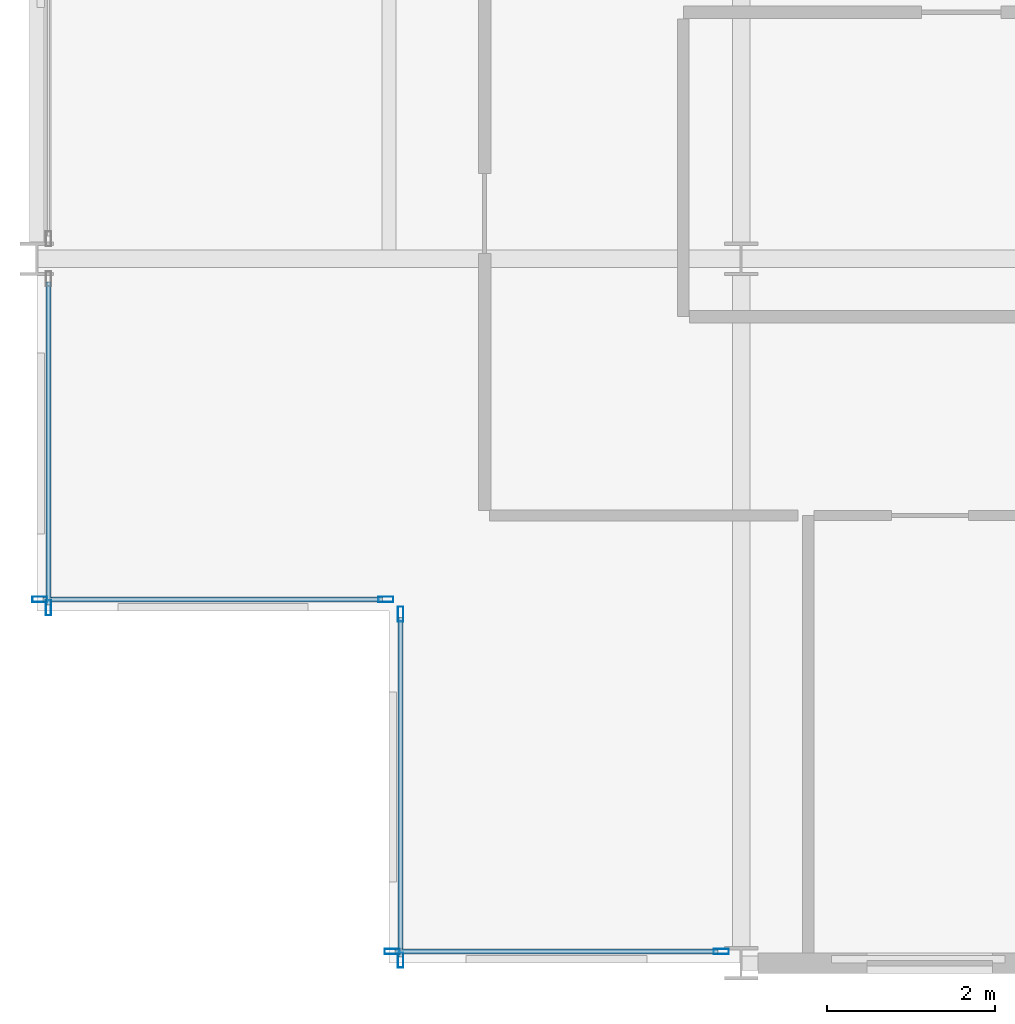
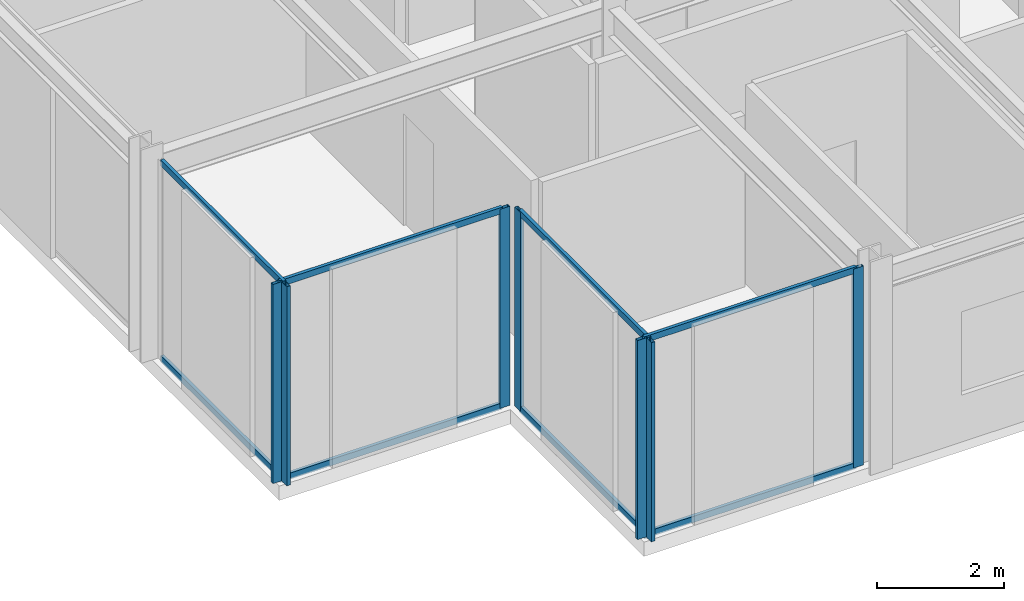
# One storey, part 4 of 38: 15 members, 4 elements without a shape of their own.
"""IFC4 building model written with IfcOpenShell, lengths in metres."""

from ifc_helpers import new_model, si_unit, direction, frame, origin, origin_2d, place, context, subcontext, project, spatial, hollow_rectangle, extrude, material, layer, layer_set, material_profile, profile_set, type_object, element, aggregate, save


model = new_model("IFC4")

# Units and contexts
model_context = context("Model", 3, precision=1e-05, world=origin(), true_north=direction((0.0, 1.0)))
body_context = subcontext(model_context, "Body", "Model", "MODEL_VIEW")
ifc_project = project(units=[si_unit("LENGTHUNIT", "METRE"), si_unit("AREAUNIT", "SQUARE_METRE"), si_unit("VOLUMEUNIT", "CUBIC_METRE"), si_unit("PLANEANGLEUNIT", "RADIAN"), si_unit("MASSUNIT", "GRAM", prefix="KILO")], contexts=[model_context])

# Site, building, storey
site_placement = place(None, origin())
site = spatial("IfcSite", under=ifc_project, at=site_placement, CompositionType="ELEMENT")
building_placement = place(site_placement, origin())
building = spatial("IfcBuilding", under=site, at=building_placement, Name="Nerrivon Quay Data Exchange", CompositionType="ELEMENT")
storey_placement = place(building_placement, frame((0.0, 0.0, 96.699951171875)))
storey = spatial("IfcBuildingStorey", under=building, at=storey_placement, Name="L22", CompositionType="ELEMENT", Elevation=96.699951171875)

# Curtain wall, members
ifc_material = material(Name="Anodised aluminium 6063-T6", Category="aluminium")
ifc_layer = layer(ifc_material, 0.2099609375)
ifc_layer_set = layer_set([ifc_layer], Name="Anodised aluminium 6063-T6")
curtain_wall_type = type_object("IfcCurtainWallType", Name="CW-SYS-02", PredefinedType="NOTDEFINED", material=ifc_layer_set)
curtain_wall_1_placement = place(storey_placement, origin())
curtain_wall_1 = element("IfcCurtainWall", 1, at=curtain_wall_1_placement, inside=storey, type_object=curtain_wall_type, Name="L22 Unitised Curtain Wall 14", PredefinedType="NOTDEFINED")
ifc_material_profile_1 = material_profile(ifc_material, hollow_rectangle(XDim=0.06494140625, YDim=0.179931640625, WallThickness=0.00341796875, at=origin_2d()), Name="ALU-MULL-180x65")
ifc_profile_set_1 = profile_set([ifc_material_profile_1], Name="Anodised aluminium 6063-T6")
member_type_1 = type_object("IfcMemberType", Name="CWM-180x65", PredefinedType="MULLION", material=ifc_profile_set_1)
member_1_placement = place(storey_placement, frame((8.16259765625, 0.139892578125, 0.0), z_axis=(0.0, 0.0, 1.0), x_axis=(0.0, -1.0, 0.0)))
member_1 = element("IfcMember", 2, at=member_1_placement, type_object=member_type_1, Name="CW02 mullion 1", PredefinedType="MULLION", context=body_context, shape_type="SweptSolid", body=[
    extrude(hollow_rectangle(XDim=0.06494140625, YDim=0.179931640625, WallThickness=0.00341796875, at=origin_2d()), origin(), (0.0, 0.0, 1.0), 3.824951171875),
])
member_2_placement = place(storey_placement, frame((4.237548828125, 0.139892578125, 0.0), z_axis=(0.0, 0.0, 1.0), x_axis=(0.0, -1.0, 0.0)))
member_2 = element("IfcMember", 3, at=member_2_placement, type_object=member_type_1, Name="CW02 mullion 2", PredefinedType="MULLION", context=body_context, shape_type="SweptSolid", body=[
    extrude(hollow_rectangle(XDim=0.06494140625, YDim=0.179931640625, WallThickness=0.00341796875, at=origin_2d()), origin(), (0.0, 0.0, 1.0), 3.824951171875),
])

curtain_wall_2_placement = place(storey_placement, origin())
curtain_wall_2 = element("IfcCurtainWall", 4, at=curtain_wall_2_placement, inside=storey, type_object=curtain_wall_type, Name="L22 Unitised Curtain Wall 15", PredefinedType="NOTDEFINED")
member_3_placement = place(storey_placement, frame((4.340087890625, 0.03759765625, 0.0), z_axis=(0.0, 0.0, 1.0), x_axis=(-1.0, 0.0, 0.0)))
member_3 = element("IfcMember", 5, at=member_3_placement, type_object=member_type_1, Name="CW02 mullion 1", PredefinedType="MULLION", context=body_context, shape_type="SweptSolid", body=[
    extrude(hollow_rectangle(XDim=0.06494140625, YDim=0.179931640625, WallThickness=0.00341796875, at=origin_2d()), origin(), (0.0, 0.0, 1.0), 3.824951171875),
])
member_4_placement = place(storey_placement, frame((4.340087890625, 4.16259765625, 0.0), z_axis=(0.0, 0.0, 1.0), x_axis=(-1.0, 0.0, 0.0)))
member_4 = element("IfcMember", 6, at=member_4_placement, type_object=member_type_1, Name="CW02 mullion 2", PredefinedType="MULLION", context=body_context, shape_type="SweptSolid", body=[
    extrude(hollow_rectangle(XDim=0.06494140625, YDim=0.179931640625, WallThickness=0.00341796875, at=origin_2d()), origin(), (0.0, 0.0, 1.0), 3.824951171875),
])

curtain_wall_3_placement = place(storey_placement, origin())
curtain_wall_3 = element("IfcCurtainWall", 7, at=curtain_wall_3_placement, inside=storey, type_object=curtain_wall_type, Name="L22 Unitised Curtain Wall 16", PredefinedType="NOTDEFINED")
member_5_placement = place(storey_placement, frame((4.16259765625, 4.340087890625, 0.0), z_axis=(0.0, 0.0, 1.0), x_axis=(0.0, -1.0, 0.0)))
member_5 = element("IfcMember", 8, at=member_5_placement, type_object=member_type_1, Name="CW02 mullion 1", PredefinedType="MULLION", context=body_context, shape_type="SweptSolid", body=[
    extrude(hollow_rectangle(XDim=0.06494140625, YDim=0.179931640625, WallThickness=0.00341796875, at=origin_2d()), origin(), (0.0, 0.0, 1.0), 3.824951171875),
])
member_6_placement = place(storey_placement, frame((0.03759765625, 4.340087890625, 0.0), z_axis=(0.0, 0.0, 1.0), x_axis=(0.0, -1.0, 0.0)))
member_6 = element("IfcMember", 9, at=member_6_placement, type_object=member_type_1, Name="CW02 mullion 2", PredefinedType="MULLION", context=body_context, shape_type="SweptSolid", body=[
    extrude(hollow_rectangle(XDim=0.06494140625, YDim=0.179931640625, WallThickness=0.00341796875, at=origin_2d()), origin(), (0.0, 0.0, 1.0), 3.824951171875),
])

# Curtain wall, member
curtain_wall_4_placement = place(storey_placement, origin())
curtain_wall_4 = element("IfcCurtainWall", 10, at=curtain_wall_4_placement, inside=storey, type_object=curtain_wall_type, Name="L22 Unitised Curtain Wall 17", PredefinedType="NOTDEFINED")
member_7_placement = place(storey_placement, frame((0.139892578125, 4.237548828125, 0.0), z_axis=(0.0, 0.0, 1.0), x_axis=(-1.0, 0.0, 0.0)))
member_7 = element("IfcMember", 11, at=member_7_placement, type_object=member_type_1, Name="CW02 mullion 1", PredefinedType="MULLION", context=body_context, shape_type="SweptSolid", body=[
    extrude(hollow_rectangle(XDim=0.06494140625, YDim=0.179931640625, WallThickness=0.00341796875, at=origin_2d()), origin(), (0.0, 0.0, 1.0), 3.824951171875),
])

# Member
ifc_material_profile_2 = material_profile(ifc_material, hollow_rectangle(XDim=0.06005859375, YDim=0.1201171875, WallThickness=0.003173828125, at=origin_2d()), Name="ALU-TRAN-120x60")
ifc_profile_set_2 = profile_set([ifc_material_profile_2], Name="Anodised aluminium 6063-T6")
member_type_2 = type_object("IfcMemberType", Name="CWT-120x60", PredefinedType="USERDEFINED", material=ifc_profile_set_2)
member_8_placement = place(storey_placement, frame((8.125, 0.139892578125, 0.032470703125), z_axis=(-1.0, 0.0, 0.0), x_axis=(0.0, -1.0, 0.0)))
member_8 = element("IfcMember", 12, at=member_8_placement, type_object=member_type_2, Name="CW02 transom 1.1", ObjectType="TRANSOM", PredefinedType="USERDEFINED", context=body_context, shape_type="SweptSolid", body=[
    extrude(hollow_rectangle(XDim=0.06005859375, YDim=0.1201171875, WallThickness=0.003173828125, at=origin_2d()), origin(), (0.0, 0.0, 1.0), 3.85009765625),
])

member_9_placement = place(storey_placement, frame((8.125, 0.139892578125, 3.79248046875), z_axis=(-1.0, 0.0, 0.0), x_axis=(0.0, -1.0, 0.0)))
member_9 = element("IfcMember", 13, at=member_9_placement, type_object=member_type_2, Name="CW02 transom 1.2", ObjectType="TRANSOM", PredefinedType="USERDEFINED", context=body_context, shape_type="SweptSolid", body=[
    extrude(hollow_rectangle(XDim=0.06005859375, YDim=0.1201171875, WallThickness=0.003173828125, at=origin_2d()), origin(), (0.0, 0.0, 1.0), 3.85009765625),
])

aggregate(curtain_wall_1, [member_1, member_2, member_8, member_9])

member_10_placement = place(storey_placement, frame((4.340087890625, 0.074951171875, 0.032470703125), z_axis=(0.0, 1.0, 0.0), x_axis=(-1.0, 0.0, 0.0)))
member_10 = element("IfcMember", 14, at=member_10_placement, type_object=member_type_2, Name="CW02 transom 1.1", ObjectType="TRANSOM", PredefinedType="USERDEFINED", context=body_context, shape_type="SweptSolid", body=[
    extrude(hollow_rectangle(XDim=0.06005859375, YDim=0.1201171875, WallThickness=0.003173828125, at=origin_2d()), origin(), (0.0, 0.0, 1.0), 4.050048828125),
])

member_11_placement = place(storey_placement, frame((4.340087890625, 0.074951171875, 3.79248046875), z_axis=(0.0, 1.0, 0.0), x_axis=(-1.0, 0.0, 0.0)))
member_11 = element("IfcMember", 15, at=member_11_placement, type_object=member_type_2, Name="CW02 transom 1.2", ObjectType="TRANSOM", PredefinedType="USERDEFINED", context=body_context, shape_type="SweptSolid", body=[
    extrude(hollow_rectangle(XDim=0.06005859375, YDim=0.1201171875, WallThickness=0.003173828125, at=origin_2d()), origin(), (0.0, 0.0, 1.0), 4.050048828125),
])

aggregate(curtain_wall_2, [member_3, member_4, member_10, member_11])

member_12_placement = place(storey_placement, frame((4.125, 4.340087890625, 0.032470703125), z_axis=(-1.0, 0.0, 0.0), x_axis=(0.0, -1.0, 0.0)))
member_12 = element("IfcMember", 16, at=member_12_placement, type_object=member_type_2, Name="CW02 transom 1.1", ObjectType="TRANSOM", PredefinedType="USERDEFINED", context=body_context, shape_type="SweptSolid", body=[
    extrude(hollow_rectangle(XDim=0.06005859375, YDim=0.1201171875, WallThickness=0.003173828125, at=origin_2d()), origin(), (0.0, 0.0, 1.0), 4.050048828125),
])

member_13_placement = place(storey_placement, frame((4.125, 4.340087890625, 3.79248046875), z_axis=(-1.0, 0.0, 0.0), x_axis=(0.0, -1.0, 0.0)))
member_13 = element("IfcMember", 17, at=member_13_placement, type_object=member_type_2, Name="CW02 transom 1.2", ObjectType="TRANSOM", PredefinedType="USERDEFINED", context=body_context, shape_type="SweptSolid", body=[
    extrude(hollow_rectangle(XDim=0.06005859375, YDim=0.1201171875, WallThickness=0.003173828125, at=origin_2d()), origin(), (0.0, 0.0, 1.0), 4.050048828125),
])

aggregate(curtain_wall_3, [member_5, member_6, member_12, member_13])

member_14_placement = place(storey_placement, frame((0.139892578125, 4.27490234375, 0.032470703125), z_axis=(0.0, 1.0, 0.0), x_axis=(-1.0, 0.0, 0.0)))
member_14 = element("IfcMember", 18, at=member_14_placement, type_object=member_type_2, Name="CW02 transom 1.1", ObjectType="TRANSOM", PredefinedType="USERDEFINED", context=body_context, shape_type="SweptSolid", body=[
    extrude(hollow_rectangle(XDim=0.06005859375, YDim=0.1201171875, WallThickness=0.003173828125, at=origin_2d()), origin(), (0.0, 0.0, 1.0), 3.85009765625),
])

member_15_placement = place(storey_placement, frame((0.139892578125, 4.27490234375, 3.79248046875), z_axis=(0.0, 1.0, 0.0), x_axis=(-1.0, 0.0, 0.0)))
member_15 = element("IfcMember", 19, at=member_15_placement, type_object=member_type_2, Name="CW02 transom 1.2", ObjectType="TRANSOM", PredefinedType="USERDEFINED", context=body_context, shape_type="SweptSolid", body=[
    extrude(hollow_rectangle(XDim=0.06005859375, YDim=0.1201171875, WallThickness=0.003173828125, at=origin_2d()), origin(), (0.0, 0.0, 1.0), 3.85009765625),
])

aggregate(curtain_wall_4, [member_7, member_14, member_15])

save(model, "model.ifc")
